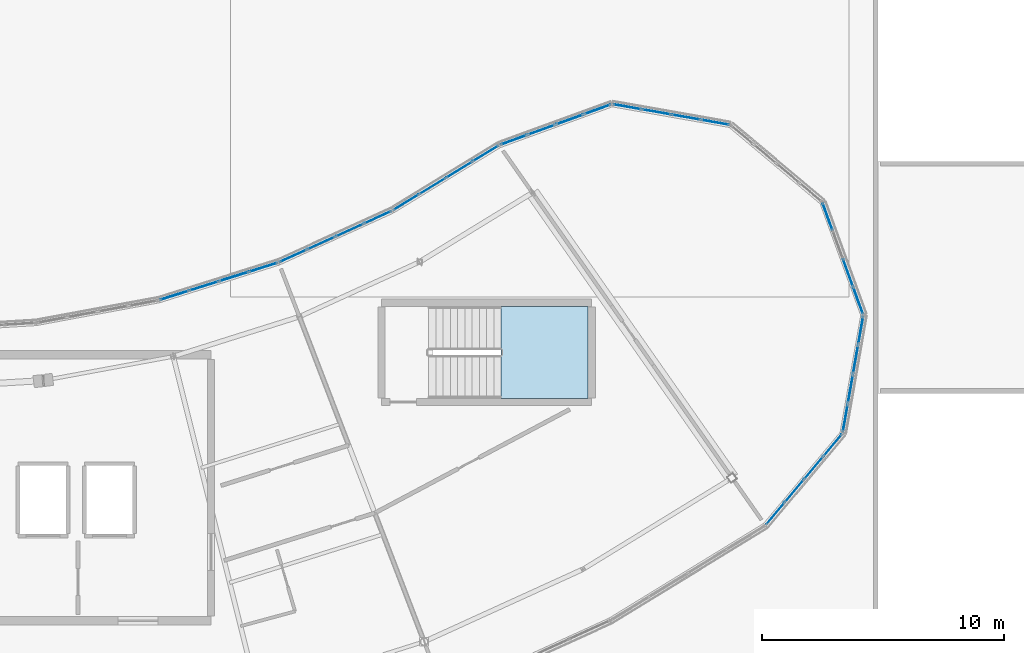
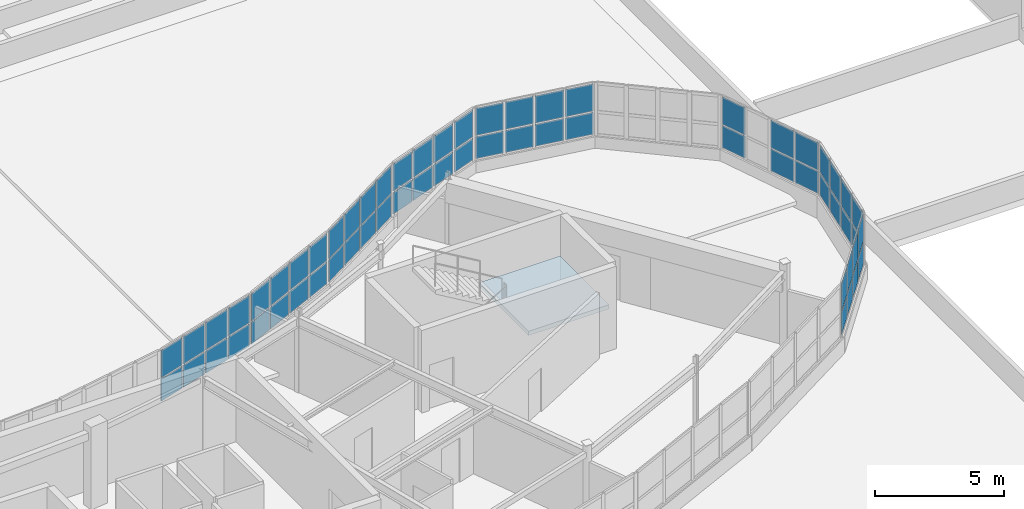
# One storey, part 71 of 128: 62 plates, 1 slab, 9 elements without a shape of their own.
"""IFC4 building model written with IfcOpenShell, lengths in metres."""

from ifc_helpers import new_model, si_unit, direction, frame, origin, origin_2d, place, context, subcontext, project, spatial, polyline, rectangle, outline, extrude, material, layer, layer_set, type_object, element, aggregate, save


model = new_model("IFC4")

# Units and contexts
model_context = context("Model", 3, precision=1e-05, world=origin(), true_north=direction((0.0, 1.0)))
body_context = subcontext(model_context, "Body", "Model", "MODEL_VIEW")
ifc_project = project(units=[si_unit("LENGTHUNIT", "METRE"), si_unit("AREAUNIT", "SQUARE_METRE"), si_unit("VOLUMEUNIT", "CUBIC_METRE"), si_unit("PLANEANGLEUNIT", "RADIAN"), si_unit("MASSUNIT", "GRAM", prefix="KILO")], contexts=[model_context])

# Site, building, storey
site_placement = place(None, origin())
site = spatial("IfcSite", under=ifc_project, at=site_placement, CompositionType="ELEMENT")
building_placement = place(site_placement, origin())
building = spatial("IfcBuilding", under=site, at=building_placement, Name="Tarnwether General Hospital", CompositionType="ELEMENT")
storey_placement = place(building_placement, frame((0.0, 0.0, 14.39990234375)))
storey = spatial("IfcBuildingStorey", under=building, at=storey_placement, Name="L03", CompositionType="ELEMENT", Elevation=14.39990234375)

# Curtain wall, plates
ifc_material_1 = material(Name="Anodised aluminium", Category="aluminium")
ifc_layer_1 = layer(ifc_material_1, 0.159912109375)
ifc_layer_set_1 = layer_set([ifc_layer_1], Name="Anodised aluminium")
curtain_wall_type = type_object("IfcCurtainWallType", Name="CW-04", PredefinedType="NOTDEFINED", material=ifc_layer_set_1)
curtain_wall_1_placement = place(storey_placement, origin())
curtain_wall_1 = element("IfcCurtainWall", 1, at=curtain_wall_1_placement, inside=storey, type_object=curtain_wall_type, Name="Curtain Wall CWG-L03-1305_163-0164", PredefinedType="NOTDEFINED")
ifc_material_2 = material(Name="Double glazed low-E glass", Category="glass")
ifc_layer_2 = layer(ifc_material_2, 0.028076171875)
ifc_layer_set_2 = layer_set([ifc_layer_2], Name="Double glazed low-E glass")
plate_type_1 = type_object("IfcPlateType", Name="PT-CWP1", PredefinedType="CURTAIN_PANEL", material=ifc_layer_set_2)
plate_1_placement = place(storey_placement, frame((130.1171875, 15.858642578125, 1.115234375), z_axis=(0.0, 0.0, 1.0), x_axis=(-0.64285227611, -0.765990176896, 0.0)))
plate_1 = element("IfcPlate", 2, at=plate_1_placement, type_object=plate_type_1, Name="CW-04 panel 1.1", PredefinedType="CURTAIN_PANEL", context=body_context, shape_type="SweptSolid", body=[
    extrude(rectangle(XDim=1.14501953125, YDim=0.028076171875, at=origin_2d()), origin(), (0.0, 0.0, 1.0), 1.031982421875),
])
plate_2_placement = place(storey_placement, frame((130.1171875, 15.858642578125, 2.2119140625), z_axis=(0.0, 0.0, 1.0), x_axis=(-0.64285227611, -0.765990176896, 0.0)))
plate_2 = element("IfcPlate", 3, at=plate_2_placement, type_object=plate_type_1, Name="CW-04 panel 1.2", PredefinedType="CURTAIN_PANEL", context=body_context, shape_type="SweptSolid", body=[
    extrude(rectangle(XDim=1.14501953125, YDim=0.028076171875, at=origin_2d()), origin(), (0.0, 0.0, 1.0), 1.282958984375),
])
plate_3_placement = place(storey_placement, frame((129.328857421875, 14.91943359375, 1.115234375), z_axis=(0.0, 0.0, 1.0), x_axis=(-0.64285227611, -0.765990176896, 0.0)))
plate_3 = element("IfcPlate", 4, at=plate_3_placement, type_object=plate_type_1, Name="CW-04 panel 2.1", PredefinedType="CURTAIN_PANEL", context=body_context, shape_type="SweptSolid", body=[
    extrude(rectangle(XDim=1.177490234375, YDim=0.028076171875, at=origin_2d()), origin(), (0.0, 0.0, 1.0), 1.031982421875),
])
plate_4_placement = place(storey_placement, frame((129.328857421875, 14.91943359375, 2.2119140625), z_axis=(0.0, 0.0, 1.0), x_axis=(-0.64285227611, -0.765990176896, 0.0)))
plate_4 = element("IfcPlate", 5, at=plate_4_placement, type_object=plate_type_1, Name="CW-04 panel 2.2", PredefinedType="CURTAIN_PANEL", context=body_context, shape_type="SweptSolid", body=[
    extrude(rectangle(XDim=1.177490234375, YDim=0.028076171875, at=origin_2d()), origin(), (0.0, 0.0, 1.0), 1.282958984375),
])
plate_5_placement = place(storey_placement, frame((128.530029296875, 13.967529296875, 1.115234375), z_axis=(0.0, 0.0, 1.0), x_axis=(-0.64285227611, -0.765990176896, 0.0)))
plate_5 = element("IfcPlate", 6, at=plate_5_placement, type_object=plate_type_1, Name="CW-04 panel 3.1", PredefinedType="CURTAIN_PANEL", context=body_context, shape_type="SweptSolid", body=[
    extrude(rectangle(XDim=1.177490234375, YDim=0.028076171875, at=origin_2d()), origin(), (0.0, 0.0, 1.0), 1.031982421875),
])
plate_6_placement = place(storey_placement, frame((128.530029296875, 13.967529296875, 2.2119140625), z_axis=(0.0, 0.0, 1.0), x_axis=(-0.64285227611, -0.765990176896, 0.0)))
plate_6 = element("IfcPlate", 7, at=plate_6_placement, type_object=plate_type_1, Name="CW-04 panel 3.2", PredefinedType="CURTAIN_PANEL", context=body_context, shape_type="SweptSolid", body=[
    extrude(rectangle(XDim=1.177490234375, YDim=0.028076171875, at=origin_2d()), origin(), (0.0, 0.0, 1.0), 1.282958984375),
])
plate_7_placement = place(storey_placement, frame((127.741943359375, 13.0283203125, 1.115234375), z_axis=(0.0, 0.0, 1.0), x_axis=(-0.64285227611, -0.765990176896, 0.0)))
plate_7 = element("IfcPlate", 8, at=plate_7_placement, type_object=plate_type_1, Name="CW-04 panel 4.1", PredefinedType="CURTAIN_PANEL", context=body_context, shape_type="SweptSolid", body=[
    extrude(rectangle(XDim=1.14501953125, YDim=0.028076171875, at=origin_2d()), origin(), (0.0, 0.0, 1.0), 1.031982421875),
])
plate_8_placement = place(storey_placement, frame((127.741943359375, 13.0283203125, 2.2119140625), z_axis=(0.0, 0.0, 1.0), x_axis=(-0.64285227611, -0.765990176896, 0.0)))
plate_8 = element("IfcPlate", 9, at=plate_8_placement, type_object=plate_type_1, Name="CW-04 panel 4.2", PredefinedType="CURTAIN_PANEL", context=body_context, shape_type="SweptSolid", body=[
    extrude(rectangle(XDim=1.14501953125, YDim=0.028076171875, at=origin_2d()), origin(), (0.0, 0.0, 1.0), 1.282958984375),
])
aggregate(curtain_wall_1, [plate_1, plate_2, plate_3, plate_4, plate_5, plate_6, plate_7, plate_8])

curtain_wall_2_placement = place(storey_placement, origin())
curtain_wall_2 = element("IfcCurtainWall", 10, at=curtain_wall_2_placement, inside=storey, type_object=curtain_wall_type, Name="Curtain Wall CWG-L03-1314_212-0165", PredefinedType="NOTDEFINED")
plate_9_placement = place(storey_placement, frame((131.27783203125, 20.609619140625, 1.1298828125), z_axis=(0.0, 0.0, 1.0), x_axis=(-0.173463890135, -0.984840230098, 0.0)))
plate_9 = element("IfcPlate", 11, at=plate_9_placement, type_object=plate_type_1, Name="CW-04 panel 1.1", PredefinedType="CURTAIN_PANEL", context=body_context, shape_type="SweptSolid", body=[
    extrude(rectangle(XDim=1.122314453125, YDim=0.028076171875, at=origin_2d()), origin(), (0.0, 0.0, 1.0), 1.009521484375),
])
plate_10_placement = place(storey_placement, frame((131.27783203125, 20.609619140625, 2.2197265625), z_axis=(0.0, 0.0, 1.0), x_axis=(-0.173463890135, -0.984840230098, 0.0)))
plate_10 = element("IfcPlate", 12, at=plate_10_placement, type_object=plate_type_1, Name="CW-04 panel 1.2", PredefinedType="CURTAIN_PANEL", context=body_context, shape_type="SweptSolid", body=[
    extrude(rectangle(XDim=1.122314453125, YDim=0.028076171875, at=origin_2d()), origin(), (0.0, 0.0, 1.0), 1.260498046875),
])
plate_11_placement = place(storey_placement, frame((131.065673828125, 19.40576171875, 1.1298828125), z_axis=(0.0, 0.0, 1.0), x_axis=(-0.173463890135, -0.984840230098, 0.0)))
plate_11 = element("IfcPlate", 13, at=plate_11_placement, type_object=plate_type_1, Name="CW-04 panel 2.1", PredefinedType="CURTAIN_PANEL", context=body_context, shape_type="SweptSolid", body=[
    extrude(rectangle(XDim=1.162353515625, YDim=0.028076171875, at=origin_2d()), origin(), (0.0, 0.0, 1.0), 1.009521484375),
])
plate_12_placement = place(storey_placement, frame((131.065673828125, 19.40576171875, 2.2197265625), z_axis=(0.0, 0.0, 1.0), x_axis=(-0.173463890135, -0.984840230098, 0.0)))
plate_12 = element("IfcPlate", 14, at=plate_12_placement, type_object=plate_type_1, Name="CW-04 panel 2.2", PredefinedType="CURTAIN_PANEL", context=body_context, shape_type="SweptSolid", body=[
    extrude(rectangle(XDim=1.162353515625, YDim=0.028076171875, at=origin_2d()), origin(), (0.0, 0.0, 1.0), 1.260498046875),
])
plate_13_placement = place(storey_placement, frame((130.850341796875, 18.18212890625, 1.1298828125), z_axis=(0.0, 0.0, 1.0), x_axis=(-0.173463890135, -0.984840230098, 0.0)))
plate_13 = element("IfcPlate", 15, at=plate_13_placement, type_object=plate_type_1, Name="CW-04 panel 3.1", PredefinedType="CURTAIN_PANEL", context=body_context, shape_type="SweptSolid", body=[
    extrude(rectangle(XDim=1.162353515625, YDim=0.028076171875, at=origin_2d()), origin(), (0.0, 0.0, 1.0), 1.009521484375),
])
plate_14_placement = place(storey_placement, frame((130.850341796875, 18.18212890625, 2.2197265625), z_axis=(0.0, 0.0, 1.0), x_axis=(-0.173463890135, -0.984840230098, 0.0)))
plate_14 = element("IfcPlate", 16, at=plate_14_placement, type_object=plate_type_1, Name="CW-04 panel 3.2", PredefinedType="CURTAIN_PANEL", context=body_context, shape_type="SweptSolid", body=[
    extrude(rectangle(XDim=1.162353515625, YDim=0.028076171875, at=origin_2d()), origin(), (0.0, 0.0, 1.0), 1.260498046875),
])
plate_15_placement = place(storey_placement, frame((130.63818359375, 16.978515625, 1.1298828125), z_axis=(0.0, 0.0, 1.0), x_axis=(-0.173463890135, -0.984840230098, 0.0)))
plate_15 = element("IfcPlate", 17, at=plate_15_placement, type_object=plate_type_1, Name="CW-04 panel 4.1", PredefinedType="CURTAIN_PANEL", context=body_context, shape_type="SweptSolid", body=[
    extrude(rectangle(XDim=1.122314453125, YDim=0.028076171875, at=origin_2d()), origin(), (0.0, 0.0, 1.0), 1.009521484375),
])
plate_16_placement = place(storey_placement, frame((130.63818359375, 16.978515625, 2.2197265625), z_axis=(0.0, 0.0, 1.0), x_axis=(-0.173463890135, -0.984840230098, 0.0)))
plate_16 = element("IfcPlate", 18, at=plate_16_placement, type_object=plate_type_1, Name="CW-04 panel 4.2", PredefinedType="CURTAIN_PANEL", context=body_context, shape_type="SweptSolid", body=[
    extrude(rectangle(XDim=1.122314453125, YDim=0.028076171875, at=origin_2d()), origin(), (0.0, 0.0, 1.0), 1.260498046875),
])
aggregate(curtain_wall_2, [plate_9, plate_10, plate_11, plate_12, plate_13, plate_14, plate_15, plate_16])

curtain_wall_3_placement = place(storey_placement, origin())
curtain_wall_3 = element("IfcCurtainWall", 19, at=curtain_wall_3_placement, inside=storey, type_object=curtain_wall_type, Name="Curtain Wall CWG-L03-1210_300-0168", PredefinedType="NOTDEFINED")
plate_17_placement = place(storey_placement, frame((121.61669921875, 29.857421875, 1.115234375), z_axis=(0.0, 0.0, 1.0), x_axis=(0.984805834268, -0.173659059054, 0.0)))
plate_17 = element("IfcPlate", 20, at=plate_17_placement, type_object=plate_type_1, Name="CW-04 panel 1.1", PredefinedType="CURTAIN_PANEL", context=body_context, shape_type="SweptSolid", body=[
    extrude(rectangle(XDim=1.144775390625, YDim=0.028076171875, at=origin_2d()), origin(), (0.0, 0.0, 1.0), 1.031982421875),
])
plate_18_placement = place(storey_placement, frame((121.61669921875, 29.857421875, 2.2119140625), z_axis=(0.0, 0.0, 1.0), x_axis=(0.984805834268, -0.173659059054, 0.0)))
plate_18 = element("IfcPlate", 21, at=plate_18_placement, type_object=plate_type_1, Name="CW-04 panel 1.2", PredefinedType="CURTAIN_PANEL", context=body_context, shape_type="SweptSolid", body=[
    extrude(rectangle(XDim=1.144775390625, YDim=0.028076171875, at=origin_2d()), origin(), (0.0, 0.0, 1.0), 1.282958984375),
])
plate_19_placement = place(storey_placement, frame((122.82421875, 29.644287109375, 1.115234375), z_axis=(0.0, 0.0, 1.0), x_axis=(0.984805834268, -0.173659059054, 0.0)))
plate_19 = element("IfcPlate", 22, at=plate_19_placement, type_object=plate_type_1, Name="CW-04 panel 2.1", PredefinedType="CURTAIN_PANEL", context=body_context, shape_type="SweptSolid", body=[
    extrude(rectangle(XDim=1.177490234375, YDim=0.028076171875, at=origin_2d()), origin(), (0.0, 0.0, 1.0), 1.031982421875),
])
plate_20_placement = place(storey_placement, frame((122.82421875, 29.644287109375, 2.2119140625), z_axis=(0.0, 0.0, 1.0), x_axis=(0.984805834268, -0.173659059054, 0.0)))
plate_20 = element("IfcPlate", 23, at=plate_20_placement, type_object=plate_type_1, Name="CW-04 panel 2.2", PredefinedType="CURTAIN_PANEL", context=body_context, shape_type="SweptSolid", body=[
    extrude(rectangle(XDim=1.177490234375, YDim=0.028076171875, at=origin_2d()), origin(), (0.0, 0.0, 1.0), 1.282958984375),
])
plate_21_placement = place(storey_placement, frame((124.0478515625, 29.4287109375, 1.115234375), z_axis=(0.0, 0.0, 1.0), x_axis=(0.984805834268, -0.173659059054, 0.0)))
plate_21 = element("IfcPlate", 24, at=plate_21_placement, type_object=plate_type_1, Name="CW-04 panel 3.1", PredefinedType="CURTAIN_PANEL", context=body_context, shape_type="SweptSolid", body=[
    extrude(rectangle(XDim=1.177490234375, YDim=0.028076171875, at=origin_2d()), origin(), (0.0, 0.0, 1.0), 1.031982421875),
])
plate_22_placement = place(storey_placement, frame((124.0478515625, 29.4287109375, 2.2119140625), z_axis=(0.0, 0.0, 1.0), x_axis=(0.984805834268, -0.173659059054, 0.0)))
plate_22 = element("IfcPlate", 25, at=plate_22_placement, type_object=plate_type_1, Name="CW-04 panel 3.2", PredefinedType="CURTAIN_PANEL", context=body_context, shape_type="SweptSolid", body=[
    extrude(rectangle(XDim=1.177490234375, YDim=0.028076171875, at=origin_2d()), origin(), (0.0, 0.0, 1.0), 1.282958984375),
])
plate_23_placement = place(storey_placement, frame((125.255126953125, 29.215576171875, 1.115234375), z_axis=(0.0, 0.0, 1.0), x_axis=(0.984805834268, -0.173659059054, 0.0)))
plate_23 = element("IfcPlate", 26, at=plate_23_placement, type_object=plate_type_1, Name="CW-04 panel 4.1", PredefinedType="CURTAIN_PANEL", context=body_context, shape_type="SweptSolid", body=[
    extrude(rectangle(XDim=1.144775390625, YDim=0.028076171875, at=origin_2d()), origin(), (0.0, 0.0, 1.0), 1.031982421875),
])
plate_24_placement = place(storey_placement, frame((125.255126953125, 29.215576171875, 2.2119140625), z_axis=(0.0, 0.0, 1.0), x_axis=(0.984805834268, -0.173659059054, 0.0)))
plate_24 = element("IfcPlate", 27, at=plate_24_placement, type_object=plate_type_1, Name="CW-04 panel 4.2", PredefinedType="CURTAIN_PANEL", context=body_context, shape_type="SweptSolid", body=[
    extrude(rectangle(XDim=1.144775390625, YDim=0.028076171875, at=origin_2d()), origin(), (0.0, 0.0, 1.0), 1.282958984375),
])
aggregate(curtain_wall_3, [plate_17, plate_18, plate_19, plate_20, plate_21, plate_22, plate_23, plate_24])

curtain_wall_4_placement = place(storey_placement, origin())
curtain_wall_4 = element("IfcCurtainWall", 28, at=curtain_wall_4_placement, inside=storey, type_object=curtain_wall_type, Name="Curtain Wall CWG-L03-1119_256-0170", PredefinedType="NOTDEFINED")
plate_25_placement = place(storey_placement, frame((112.470458984375, 25.908935546875, 1.110107421875), z_axis=(0.0, 0.0, 1.0), x_axis=(0.852631789198, 0.522512231483, 0.0)))
plate_25 = element("IfcPlate", 29, at=plate_25_placement, type_object=plate_type_1, Name="CW-04 panel 1.1", PredefinedType="CURTAIN_PANEL", context=body_context, shape_type="SweptSolid", body=[
    extrude(rectangle(XDim=1.204345703125, YDim=0.028076171875, at=origin_2d()), origin(), (0.0, 0.0, 1.0), 1.03955078125),
])
plate_26_placement = place(storey_placement, frame((112.470458984375, 25.908935546875, 2.20947265625), z_axis=(0.0, 0.0, 1.0), x_axis=(0.852631789198, 0.522512231483, 0.0)))
plate_26 = element("IfcPlate", 30, at=plate_26_placement, type_object=plate_type_1, Name="CW-04 panel 1.2", PredefinedType="CURTAIN_PANEL", context=body_context, shape_type="SweptSolid", body=[
    extrude(rectangle(XDim=1.204345703125, YDim=0.028076171875, at=origin_2d()), origin(), (0.0, 0.0, 1.0), 1.29052734375),
])
plate_27_placement = place(storey_placement, frame((113.561279296875, 26.577392578125, 1.110107421875), z_axis=(0.0, 0.0, 1.0), x_axis=(0.852631789198, 0.522512231483, 0.0)))
plate_27 = element("IfcPlate", 31, at=plate_27_placement, type_object=plate_type_1, Name="CW-04 panel 2.1", PredefinedType="CURTAIN_PANEL", context=body_context, shape_type="SweptSolid", body=[
    extrude(rectangle(XDim=1.234130859375, YDim=0.028076171875, at=origin_2d()), origin(), (0.0, 0.0, 1.0), 1.03955078125),
])
plate_28_placement = place(storey_placement, frame((113.561279296875, 26.577392578125, 2.20947265625), z_axis=(0.0, 0.0, 1.0), x_axis=(0.852631789198, 0.522512231483, 0.0)))
plate_28 = element("IfcPlate", 32, at=plate_28_placement, type_object=plate_type_1, Name="CW-04 panel 2.2", PredefinedType="CURTAIN_PANEL", context=body_context, shape_type="SweptSolid", body=[
    extrude(rectangle(XDim=1.234130859375, YDim=0.028076171875, at=origin_2d()), origin(), (0.0, 0.0, 1.0), 1.29052734375),
])
plate_29_placement = place(storey_placement, frame((114.664794921875, 27.253662109375, 1.110107421875), z_axis=(0.0, 0.0, 1.0), x_axis=(0.852631789198, 0.522512231483, 0.0)))
plate_29 = element("IfcPlate", 33, at=plate_29_placement, type_object=plate_type_1, Name="CW-04 panel 3.1", PredefinedType="CURTAIN_PANEL", context=body_context, shape_type="SweptSolid", body=[
    extrude(rectangle(XDim=1.234130859375, YDim=0.028076171875, at=origin_2d()), origin(), (0.0, 0.0, 1.0), 1.03955078125),
])
plate_30_placement = place(storey_placement, frame((114.664794921875, 27.253662109375, 2.20947265625), z_axis=(0.0, 0.0, 1.0), x_axis=(0.852631789198, 0.522512231483, 0.0)))
plate_30 = element("IfcPlate", 34, at=plate_30_placement, type_object=plate_type_1, Name="CW-04 panel 3.2", PredefinedType="CURTAIN_PANEL", context=body_context, shape_type="SweptSolid", body=[
    extrude(rectangle(XDim=1.234130859375, YDim=0.028076171875, at=origin_2d()), origin(), (0.0, 0.0, 1.0), 1.29052734375),
])
plate_31_placement = place(storey_placement, frame((115.75537109375, 27.922119140625, 1.110107421875), z_axis=(0.0, 0.0, 1.0), x_axis=(0.852631789198, 0.522512231483, 0.0)))
plate_31 = element("IfcPlate", 35, at=plate_31_placement, type_object=plate_type_1, Name="CW-04 panel 4.1", PredefinedType="CURTAIN_PANEL", context=body_context, shape_type="SweptSolid", body=[
    extrude(rectangle(XDim=1.204345703125, YDim=0.028076171875, at=origin_2d()), origin(), (0.0, 0.0, 1.0), 1.03955078125),
])
plate_32_placement = place(storey_placement, frame((115.75537109375, 27.922119140625, 2.20947265625), z_axis=(0.0, 0.0, 1.0), x_axis=(0.852631789198, 0.522512231483, 0.0)))
plate_32 = element("IfcPlate", 36, at=plate_32_placement, type_object=plate_type_1, Name="CW-04 panel 4.2", PredefinedType="CURTAIN_PANEL", context=body_context, shape_type="SweptSolid", body=[
    extrude(rectangle(XDim=1.204345703125, YDim=0.028076171875, at=origin_2d()), origin(), (0.0, 0.0, 1.0), 1.29052734375),
])
aggregate(curtain_wall_4, [plate_25, plate_26, plate_27, plate_28, plate_29, plate_30, plate_31, plate_32])

curtain_wall_5_placement = place(storey_placement, origin())
curtain_wall_5 = element("IfcCurtainWall", 37, at=curtain_wall_5_placement, inside=storey, type_object=curtain_wall_type, Name="Curtain Wall CWG-L03-1072_234-0171", PredefinedType="NOTDEFINED")
plate_33_placement = place(storey_placement, frame((107.7998046875, 23.691650390625, 1.1201171875), z_axis=(0.0, 0.0, 1.0), x_axis=(0.90995590549, 0.41470501572, 0.0)))
plate_33 = element("IfcPlate", 38, at=plate_33_placement, type_object=plate_type_1, Name="CW-04 panel 1.1", PredefinedType="CURTAIN_PANEL", context=body_context, shape_type="SweptSolid", body=[
    extrude(rectangle(XDim=1.189208984375, YDim=0.028076171875, at=origin_2d()), origin(), (0.0, 0.0, 1.0), 1.0244140625),
])
plate_34_placement = place(storey_placement, frame((107.7998046875, 23.691650390625, 2.214599609375), z_axis=(0.0, 0.0, 1.0), x_axis=(0.90995590549, 0.41470501572, 0.0)))
plate_34 = element("IfcPlate", 39, at=plate_34_placement, type_object=plate_type_1, Name="CW-04 panel 1.2", PredefinedType="CURTAIN_PANEL", context=body_context, shape_type="SweptSolid", body=[
    extrude(rectangle(XDim=1.189208984375, YDim=0.028076171875, at=origin_2d()), origin(), (0.0, 0.0, 1.0), 1.275390625),
])
plate_35_placement = place(storey_placement, frame((108.961669921875, 24.22119140625, 1.1201171875), z_axis=(0.0, 0.0, 1.0), x_axis=(0.90995590549, 0.41470501572, 0.0)))
plate_35 = element("IfcPlate", 40, at=plate_35_placement, type_object=plate_type_1, Name="CW-04 panel 2.1", PredefinedType="CURTAIN_PANEL", context=body_context, shape_type="SweptSolid", body=[
    extrude(rectangle(XDim=1.224365234375, YDim=0.028076171875, at=origin_2d()), origin(), (0.0, 0.0, 1.0), 1.0244140625),
])
plate_36_placement = place(storey_placement, frame((108.961669921875, 24.22119140625, 2.214599609375), z_axis=(0.0, 0.0, 1.0), x_axis=(0.90995590549, 0.41470501572, 0.0)))
plate_36 = element("IfcPlate", 41, at=plate_36_placement, type_object=plate_type_1, Name="CW-04 panel 2.2", PredefinedType="CURTAIN_PANEL", context=body_context, shape_type="SweptSolid", body=[
    extrude(rectangle(XDim=1.224365234375, YDim=0.028076171875, at=origin_2d()), origin(), (0.0, 0.0, 1.0), 1.275390625),
])
plate_37_placement = place(storey_placement, frame((110.139404296875, 24.7578125, 1.1201171875), z_axis=(0.0, 0.0, 1.0), x_axis=(0.90995590549, 0.41470501572, 0.0)))
plate_37 = element("IfcPlate", 42, at=plate_37_placement, type_object=plate_type_1, Name="CW-04 panel 3.1", PredefinedType="CURTAIN_PANEL", context=body_context, shape_type="SweptSolid", body=[
    extrude(rectangle(XDim=1.224365234375, YDim=0.028076171875, at=origin_2d()), origin(), (0.0, 0.0, 1.0), 1.0244140625),
])
plate_38_placement = place(storey_placement, frame((110.139404296875, 24.7578125, 2.214599609375), z_axis=(0.0, 0.0, 1.0), x_axis=(0.90995590549, 0.41470501572, 0.0)))
plate_38 = element("IfcPlate", 43, at=plate_38_placement, type_object=plate_type_1, Name="CW-04 panel 3.2", PredefinedType="CURTAIN_PANEL", context=body_context, shape_type="SweptSolid", body=[
    extrude(rectangle(XDim=1.224365234375, YDim=0.028076171875, at=origin_2d()), origin(), (0.0, 0.0, 1.0), 1.275390625),
])
plate_39_placement = place(storey_placement, frame((111.30126953125, 25.287353515625, 1.1201171875), z_axis=(0.0, 0.0, 1.0), x_axis=(0.90995590549, 0.41470501572, 0.0)))
plate_39 = element("IfcPlate", 44, at=plate_39_placement, type_object=plate_type_1, Name="CW-04 panel 4.1", PredefinedType="CURTAIN_PANEL", context=body_context, shape_type="SweptSolid", body=[
    extrude(rectangle(XDim=1.189208984375, YDim=0.028076171875, at=origin_2d()), origin(), (0.0, 0.0, 1.0), 1.0244140625),
])
plate_40_placement = place(storey_placement, frame((111.30126953125, 25.287353515625, 2.214599609375), z_axis=(0.0, 0.0, 1.0), x_axis=(0.90995590549, 0.41470501572, 0.0)))
plate_40 = element("IfcPlate", 45, at=plate_40_placement, type_object=plate_type_1, Name="CW-04 panel 4.2", PredefinedType="CURTAIN_PANEL", context=body_context, shape_type="SweptSolid", body=[
    extrude(rectangle(XDim=1.189208984375, YDim=0.028076171875, at=origin_2d()), origin(), (0.0, 0.0, 1.0), 1.275390625),
])
aggregate(curtain_wall_5, [plate_33, plate_34, plate_35, plate_36, plate_37, plate_38, plate_39, plate_40])

curtain_wall_6_placement = place(storey_placement, origin())
curtain_wall_6 = element("IfcCurtainWall", 46, at=curtain_wall_6_placement, inside=storey, type_object=curtain_wall_type, Name="Curtain Wall CWG-L03-1297_259-0166", PredefinedType="NOTDEFINED")
ifc_material_3 = material(Name="Double glazed low-E glass", Category="glass")
ifc_layer_3 = layer(ifc_material_3, 0.035888671875)
ifc_layer_set_3 = layer_set([ifc_layer_3], Name="Double glazed low-E glass")
plate_type_2 = type_object("IfcPlateType", Name="PT-CWP2", PredefinedType="CURTAIN_PANEL", material=ifc_layer_set_3)
plate_41_placement = place(storey_placement, frame((129.907470703125, 25.312255859375, 1.110107421875), z_axis=(0.0, 0.0, 1.0), x_axis=(0.341953136469, -0.939717006582, 0.0)))
plate_41 = element("IfcPlate", 47, at=plate_41_placement, type_object=plate_type_2, Name="CW-04 panel 1.1", PredefinedType="CURTAIN_PANEL", context=body_context, shape_type="SweptSolid", body=[
    extrude(rectangle(XDim=1.152099609375, YDim=0.035888671875, at=origin_2d()), origin(), (0.0, 0.0, 1.0), 1.03955078125),
])
plate_42_placement = place(storey_placement, frame((129.907470703125, 25.312255859375, 2.20947265625), z_axis=(0.0, 0.0, 1.0), x_axis=(0.341953136469, -0.939717006582, 0.0)))
plate_42 = element("IfcPlate", 48, at=plate_42_placement, type_object=plate_type_2, Name="CW-04 panel 1.2", PredefinedType="CURTAIN_PANEL", context=body_context, shape_type="SweptSolid", body=[
    extrude(rectangle(XDim=1.152099609375, YDim=0.035888671875, at=origin_2d()), origin(), (0.0, 0.0, 1.0), 1.29052734375),
])
plate_43_placement = place(storey_placement, frame((130.751953125, 22.991943359375, 1.110107421875), z_axis=(0.0, 0.0, 1.0), x_axis=(0.341953136469, -0.939717006582, 0.0)))
plate_43 = element("IfcPlate", 49, at=plate_43_placement, type_object=plate_type_2, Name="CW-04 panel 3.1", PredefinedType="CURTAIN_PANEL", context=body_context, shape_type="SweptSolid", body=[
    extrude(rectangle(XDim=1.18212890625, YDim=0.035888671875, at=origin_2d()), origin(), (0.0, 0.0, 1.0), 1.03955078125),
])
plate_44_placement = place(storey_placement, frame((130.751953125, 22.991943359375, 2.20947265625), z_axis=(0.0, 0.0, 1.0), x_axis=(0.341953136469, -0.939717006582, 0.0)))
plate_44 = element("IfcPlate", 50, at=plate_44_placement, type_object=plate_type_2, Name="CW-04 panel 3.2", PredefinedType="CURTAIN_PANEL", context=body_context, shape_type="SweptSolid", body=[
    extrude(rectangle(XDim=1.18212890625, YDim=0.035888671875, at=origin_2d()), origin(), (0.0, 0.0, 1.0), 1.29052734375),
])
plate_45_placement = place(storey_placement, frame((131.17138671875, 21.838623046875, 1.110107421875), z_axis=(0.0, 0.0, 1.0), x_axis=(0.341953136469, -0.939717006582, 0.0)))
plate_45 = element("IfcPlate", 51, at=plate_45_placement, type_object=plate_type_2, Name="CW-04 panel 4.1", PredefinedType="CURTAIN_PANEL", context=body_context, shape_type="SweptSolid", body=[
    extrude(rectangle(XDim=1.152099609375, YDim=0.035888671875, at=origin_2d()), origin(), (0.0, 0.0, 1.0), 1.03955078125),
])
plate_46_placement = place(storey_placement, frame((131.17138671875, 21.838623046875, 2.20947265625), z_axis=(0.0, 0.0, 1.0), x_axis=(0.341953136469, -0.939717006582, 0.0)))
plate_46 = element("IfcPlate", 52, at=plate_46_placement, type_object=plate_type_2, Name="CW-04 panel 4.2", PredefinedType="CURTAIN_PANEL", context=body_context, shape_type="SweptSolid", body=[
    extrude(rectangle(XDim=1.152099609375, YDim=0.035888671875, at=origin_2d()), origin(), (0.0, 0.0, 1.0), 1.29052734375),
])
aggregate(curtain_wall_6, [plate_41, plate_42, plate_43, plate_44, plate_45, plate_46])

curtain_wall_7_placement = place(storey_placement, origin())
curtain_wall_7 = element("IfcCurtainWall", 53, at=curtain_wall_7_placement, inside=storey, type_object=curtain_wall_type, Name="Curtain Wall CWG-L03-1163_283-0169", PredefinedType="NOTDEFINED")
plate_47_placement = place(storey_placement, frame((116.92236328125, 28.4873046875, 1.1298828125), z_axis=(0.0, 0.0, 1.0), x_axis=(0.939652319163, 0.342130850834, 0.0)))
plate_47 = element("IfcPlate", 54, at=plate_47_placement, type_object=plate_type_2, Name="CW-04 panel 1.1", PredefinedType="CURTAIN_PANEL", context=body_context, shape_type="SweptSolid", body=[
    extrude(rectangle(XDim=1.122314453125, YDim=0.035888671875, at=origin_2d()), origin(), (0.0, 0.0, 1.0), 1.009521484375),
])
plate_48_placement = place(storey_placement, frame((116.92236328125, 28.4873046875, 2.2197265625), z_axis=(0.0, 0.0, 1.0), x_axis=(0.939652319163, 0.342130850834, 0.0)))
plate_48 = element("IfcPlate", 55, at=plate_48_placement, type_object=plate_type_2, Name="CW-04 panel 1.2", PredefinedType="CURTAIN_PANEL", context=body_context, shape_type="SweptSolid", body=[
    extrude(rectangle(XDim=1.122314453125, YDim=0.035888671875, at=origin_2d()), origin(), (0.0, 0.0, 1.0), 1.260498046875),
])
plate_49_placement = place(storey_placement, frame((118.07080078125, 28.905517578125, 1.1298828125), z_axis=(0.0, 0.0, 1.0), x_axis=(0.939652319163, 0.342130850834, 0.0)))
plate_49 = element("IfcPlate", 56, at=plate_49_placement, type_object=plate_type_2, Name="CW-04 panel 2.1", PredefinedType="CURTAIN_PANEL", context=body_context, shape_type="SweptSolid", body=[
    extrude(rectangle(XDim=1.162109375, YDim=0.035888671875, at=origin_2d()), origin(), (0.0, 0.0, 1.0), 1.009521484375),
])
plate_50_placement = place(storey_placement, frame((118.07080078125, 28.905517578125, 2.2197265625), z_axis=(0.0, 0.0, 1.0), x_axis=(0.939652319163, 0.342130850834, 0.0)))
plate_50 = element("IfcPlate", 57, at=plate_50_placement, type_object=plate_type_2, Name="CW-04 panel 2.2", PredefinedType="CURTAIN_PANEL", context=body_context, shape_type="SweptSolid", body=[
    extrude(rectangle(XDim=1.162109375, YDim=0.035888671875, at=origin_2d()), origin(), (0.0, 0.0, 1.0), 1.260498046875),
])
plate_51_placement = place(storey_placement, frame((119.238037109375, 29.33056640625, 1.1298828125), z_axis=(0.0, 0.0, 1.0), x_axis=(0.939652319163, 0.342130850834, 0.0)))
plate_51 = element("IfcPlate", 58, at=plate_51_placement, type_object=plate_type_2, Name="CW-04 panel 3.1", PredefinedType="CURTAIN_PANEL", context=body_context, shape_type="SweptSolid", body=[
    extrude(rectangle(XDim=1.162109375, YDim=0.035888671875, at=origin_2d()), origin(), (0.0, 0.0, 1.0), 1.009521484375),
])
plate_52_placement = place(storey_placement, frame((119.238037109375, 29.33056640625, 2.2197265625), z_axis=(0.0, 0.0, 1.0), x_axis=(0.939652319163, 0.342130850834, 0.0)))
plate_52 = element("IfcPlate", 59, at=plate_52_placement, type_object=plate_type_2, Name="CW-04 panel 3.2", PredefinedType="CURTAIN_PANEL", context=body_context, shape_type="SweptSolid", body=[
    extrude(rectangle(XDim=1.162109375, YDim=0.035888671875, at=origin_2d()), origin(), (0.0, 0.0, 1.0), 1.260498046875),
])
plate_53_placement = place(storey_placement, frame((120.386474609375, 29.748779296875, 1.1298828125), z_axis=(0.0, 0.0, 1.0), x_axis=(0.939652319163, 0.342130850834, 0.0)))
plate_53 = element("IfcPlate", 60, at=plate_53_placement, type_object=plate_type_2, Name="CW-04 panel 4.1", PredefinedType="CURTAIN_PANEL", context=body_context, shape_type="SweptSolid", body=[
    extrude(rectangle(XDim=1.122314453125, YDim=0.035888671875, at=origin_2d()), origin(), (0.0, 0.0, 1.0), 1.009521484375),
])
plate_54_placement = place(storey_placement, frame((120.386474609375, 29.748779296875, 2.2197265625), z_axis=(0.0, 0.0, 1.0), x_axis=(0.939652319163, 0.342130850834, 0.0)))
plate_54 = element("IfcPlate", 61, at=plate_54_placement, type_object=plate_type_2, Name="CW-04 panel 4.2", PredefinedType="CURTAIN_PANEL", context=body_context, shape_type="SweptSolid", body=[
    extrude(rectangle(XDim=1.122314453125, YDim=0.035888671875, at=origin_2d()), origin(), (0.0, 0.0, 1.0), 1.260498046875),
])
aggregate(curtain_wall_7, [plate_47, plate_48, plate_49, plate_50, plate_51, plate_52, plate_53, plate_54])

curtain_wall_8_placement = place(storey_placement, origin())
curtain_wall_8 = element("IfcCurtainWall", 62, at=curtain_wall_8_placement, inside=storey, type_object=curtain_wall_type, Name="Curtain Wall CWG-L03-1023_219-0172", PredefinedType="NOTDEFINED")
plate_55_placement = place(storey_placement, frame((102.8896484375, 22.05859375, 1.115234375), z_axis=(0.0, 0.0, 1.0), x_axis=(0.953713927508, 0.30071538783, 0.0)))
plate_55 = element("IfcPlate", 63, at=plate_55_placement, type_object=plate_type_2, Name="CW-04 panel 1.1", PredefinedType="CURTAIN_PANEL", context=body_context, shape_type="SweptSolid", body=[
    extrude(rectangle(XDim=1.197021484375, YDim=0.035888671875, at=origin_2d()), origin(), (0.0, 0.0, 1.0), 1.031982421875),
])
plate_56_placement = place(storey_placement, frame((102.8896484375, 22.05859375, 2.2119140625), z_axis=(0.0, 0.0, 1.0), x_axis=(0.953713927508, 0.30071538783, 0.0)))
plate_56 = element("IfcPlate", 64, at=plate_56_placement, type_object=plate_type_2, Name="CW-04 panel 1.2", PredefinedType="CURTAIN_PANEL", context=body_context, shape_type="SweptSolid", body=[
    extrude(rectangle(XDim=1.197021484375, YDim=0.035888671875, at=origin_2d()), origin(), (0.0, 0.0, 1.0), 1.282958984375),
])
plate_57_placement = place(storey_placement, frame((104.108642578125, 22.44287109375, 1.115234375), z_axis=(0.0, 0.0, 1.0), x_axis=(0.953713927508, 0.30071538783, 0.0)))
plate_57 = element("IfcPlate", 65, at=plate_57_placement, type_object=plate_type_2, Name="CW-04 panel 2.1", PredefinedType="CURTAIN_PANEL", context=body_context, shape_type="SweptSolid", body=[
    extrude(rectangle(XDim=1.2294921875, YDim=0.035888671875, at=origin_2d()), origin(), (0.0, 0.0, 1.0), 1.031982421875),
])
plate_58_placement = place(storey_placement, frame((104.108642578125, 22.44287109375, 2.2119140625), z_axis=(0.0, 0.0, 1.0), x_axis=(0.953713927508, 0.30071538783, 0.0)))
plate_58 = element("IfcPlate", 66, at=plate_58_placement, type_object=plate_type_2, Name="CW-04 panel 2.2", PredefinedType="CURTAIN_PANEL", context=body_context, shape_type="SweptSolid", body=[
    extrude(rectangle(XDim=1.2294921875, YDim=0.035888671875, at=origin_2d()), origin(), (0.0, 0.0, 1.0), 1.282958984375),
])
plate_59_placement = place(storey_placement, frame((105.34326171875, 22.83203125, 1.115234375), z_axis=(0.0, 0.0, 1.0), x_axis=(0.953713927508, 0.30071538783, 0.0)))
plate_59 = element("IfcPlate", 67, at=plate_59_placement, type_object=plate_type_2, Name="CW-04 panel 3.1", PredefinedType="CURTAIN_PANEL", context=body_context, shape_type="SweptSolid", body=[
    extrude(rectangle(XDim=1.2294921875, YDim=0.035888671875, at=origin_2d()), origin(), (0.0, 0.0, 1.0), 1.031982421875),
])
plate_60_placement = place(storey_placement, frame((105.34326171875, 22.83203125, 2.2119140625), z_axis=(0.0, 0.0, 1.0), x_axis=(0.953713927508, 0.30071538783, 0.0)))
plate_60 = element("IfcPlate", 68, at=plate_60_placement, type_object=plate_type_2, Name="CW-04 panel 3.2", PredefinedType="CURTAIN_PANEL", context=body_context, shape_type="SweptSolid", body=[
    extrude(rectangle(XDim=1.2294921875, YDim=0.035888671875, at=origin_2d()), origin(), (0.0, 0.0, 1.0), 1.282958984375),
])
plate_61_placement = place(storey_placement, frame((106.562255859375, 23.216552734375, 1.115234375), z_axis=(0.0, 0.0, 1.0), x_axis=(0.953713927508, 0.30071538783, 0.0)))
plate_61 = element("IfcPlate", 69, at=plate_61_placement, type_object=plate_type_2, Name="CW-04 panel 4.1", PredefinedType="CURTAIN_PANEL", context=body_context, shape_type="SweptSolid", body=[
    extrude(rectangle(XDim=1.197021484375, YDim=0.035888671875, at=origin_2d()), origin(), (0.0, 0.0, 1.0), 1.031982421875),
])
plate_62_placement = place(storey_placement, frame((106.562255859375, 23.216552734375, 2.2119140625), z_axis=(0.0, 0.0, 1.0), x_axis=(0.953713927508, 0.30071538783, 0.0)))
plate_62 = element("IfcPlate", 70, at=plate_62_placement, type_object=plate_type_2, Name="CW-04 panel 4.2", PredefinedType="CURTAIN_PANEL", context=body_context, shape_type="SweptSolid", body=[
    extrude(rectangle(XDim=1.197021484375, YDim=0.035888671875, at=origin_2d()), origin(), (0.0, 0.0, 1.0), 1.282958984375),
])
aggregate(curtain_wall_8, [plate_55, plate_56, plate_57, plate_58, plate_59, plate_60, plate_61, plate_62])

# Stair, slab
ifc_material_4 = material(Name="Concrete 40 MPa", Category="concrete")
stair_type = type_object("IfcStairType", Name="ST-DL39B", PredefinedType="HALF_TURN_STAIR", material=ifc_material_4)
stair_placement = place(storey_placement, origin())
stair = element("IfcStair", 71, at=stair_placement, inside=storey, type_object=stair_type, Name="L03 Exit Stair ST-10", PredefinedType="HALF_TURN_STAIR")
ifc_material_5 = material(Name="Concrete 40 MPa", Category="concrete")
ifc_layer_4 = layer(ifc_material_5, 0.199951171875)
ifc_layer_set_4 = layer_set([ifc_layer_4], Name="Concrete 40 MPa")
slab_type = type_object("IfcSlabType", Name="SL-LD200", PredefinedType="LANDING", material=ifc_layer_set_4)
slab_placement = place(storey_placement, frame((0.0, 0.0, 1.75)))
slab = element("IfcSlab", 72, at=slab_placement, type_object=slab_type, Name="ST-10 landing 1", PredefinedType="LANDING", context=body_context, shape_type="SweptSolid", body=[
    extrude(outline(polyline([(116.39990234375, 17.800048828125), (120.0, 17.800048828125), (120.0, 21.60009765625), (116.39990234375, 21.60009765625), (116.39990234375, 17.800048828125)])), origin(), (0.0, 0.0, 1.0), 0.2001953125),
])
aggregate(stair, [slab])

save(model, "model.ifc")
